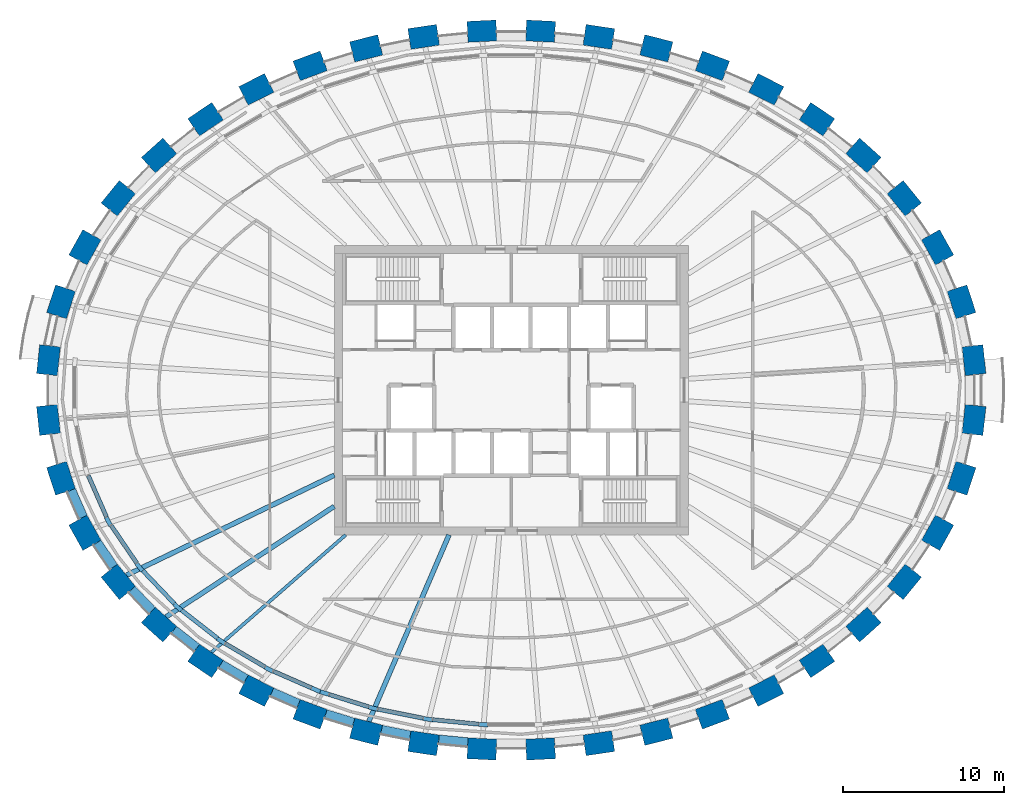
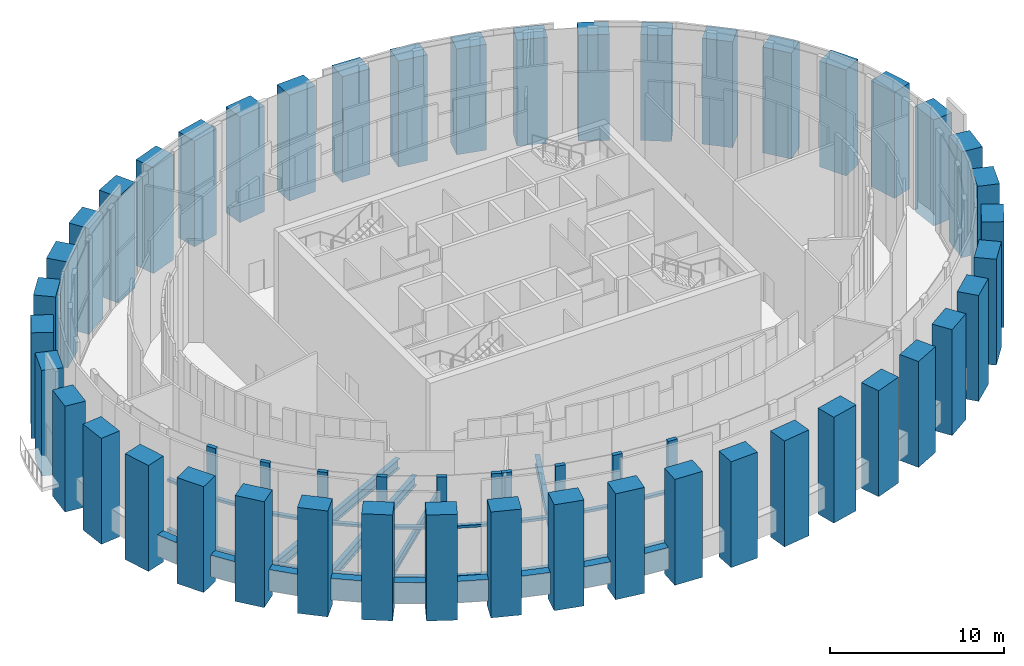
# One storey, part 1 of 16: 44 columns, 28 members, 13 beams, 2 elements without a shape of their own.
"""IFC4 building model written with IfcOpenShell, lengths in metres."""

from ifc_helpers import new_model, si_unit, direction, frame, origin, origin_2d, place, context, subcontext, project, spatial, rectangle, i_section, extrude, source, transform, mapped, material, material_profile, profile_set, type_object, element, aggregate, save


model = new_model("IFC4")

# Units and contexts
model_context = context("Model", 3, precision=1e-05, world=origin(), true_north=direction((0.0, 1.0)))
body_context = subcontext(model_context, "Body", "Model", "MODEL_VIEW")
ifc_project = project(units=[si_unit("LENGTHUNIT", "METRE"), si_unit("AREAUNIT", "SQUARE_METRE"), si_unit("VOLUMEUNIT", "CUBIC_METRE"), si_unit("PLANEANGLEUNIT", "RADIAN"), si_unit("MASSUNIT", "GRAM", prefix="KILO")], contexts=[model_context])

# Site, building, storey
site_placement = place(None, origin())
site = spatial("IfcSite", under=ifc_project, at=site_placement, CompositionType="ELEMENT")
building_placement = place(site_placement, origin())
building = spatial("IfcBuilding", under=site, at=building_placement, Name="Embergate Tower", CompositionType="ELEMENT")
storey_placement = place(building_placement, frame((0.0, 0.0, 332.5)))
storey = spatial("IfcBuildingStorey", under=building, at=storey_placement, Name="L78", CompositionType="ELEMENT", Elevation=332.5)

# Columns
ifc_material_1 = material(Name="Concrete C50", Category="concrete")
ifc_material_profile_1 = material_profile(ifc_material_1, rectangle(XDim=1.300048828125, YDim=1.800048828125, at=origin_2d()), Name="RC 1300x1800")
ifc_profile_set_1 = profile_set([ifc_material_profile_1], Name="Concrete C50")
column_type = type_object("IfcColumnType", Name="Ring column RC 1300x1800 C50", PredefinedType="COLUMN", material=ifc_profile_set_1)
shared_shape_1 = source(origin(), body_context, "Body", "SweptSolid", [
    extrude(rectangle(XDim=1.300048828125, YDim=1.800048828125, at=origin_2d()), origin(), (0.0, 0.0, 1.0), 7.449951171875),
])
for number, where, z_axis, x_axis, name in (
    (1, (28.760986328125, 1.85498046875, -1.449951171875), (0.0, 0.0, 1.0), (0.99428589498, 0.106749983816, 0.0), "COL-L78-00"),
    (2, (27.98095703125, 5.47998046875, -1.449951171875), (0.0, 0.0, 1.0), (0.950754033697, 0.309946394413, 0.0), "COL-L78-01"),
    (3, (26.4951171875, 8.866943359375, -1.449951171875), (0.0, 0.0, 1.0), (0.873491969053, 0.486838556403, 0.0), "COL-L78-02"),
    (4, (24.422119140625, 11.916015625, -1.449951171875), (0.0, 0.0, 1.0), (0.775925311702, 0.630824786022, 0.0), "COL-L78-03"),
    (5, (21.885986328125, 14.575927734375, -1.449951171875), (0.0, 0.0, 1.0), (0.669208424634, 0.74307475021, 0.0), "COL-L78-04"),
    (6, (18.99609375, 16.83203125, -1.449951171875), (0.0, 0.0, 1.0), (0.560393279442, 0.828226643109, 0.0), "COL-L78-05"),
    (7, (15.843017578125, 18.68603515625, -1.449951171875), (0.0, 0.0, 1.0), (0.452994952881, 0.891513080478, 0.0), "COL-L78-06"),
    (8, (12.498046875, 20.14892578125, -1.449951171875), (0.0, 0.0, 1.0), (0.348343015724, 0.93736713373, 0.0), "COL-L78-07"),
    (9, (9.01611328125, 21.23291015625, -1.449951171875), (0.0, 0.0, 1.0), (0.246491603437, 0.969144926951, 0.0), "COL-L78-08"),
    (10, (5.444091796875, 21.948974609375, -1.449951171875), (0.0, 0.0, 1.0), (0.146929011949, 0.989147039346, 0.0), "COL-L78-09"),
    (11, (1.820068359375, 22.305908203125, -1.449951171875), (0.0, 0.0, 1.0), (0.048814904854, 0.998807841912, 0.0), "COL-L78-10"),
    (12, (-1.820068359375, 22.305908203125, -1.449951171875), (0.0, 0.0, 1.0), (-0.048814904854, 0.998807841912, 0.0), "COL-L78-11"),
    (13, (-5.444091796875, 21.948974609375, -1.449951171875), (0.0, 0.0, 1.0), (-0.146929011949, 0.989147039346, 0.0), "COL-L78-12"),
    (14, (-9.01611328125, 21.23291015625, -1.449951171875), (0.0, 0.0, 1.0), (-0.246491603437, 0.969144926951, 0.0), "COL-L78-13"),
    (15, (-12.498046875, 20.14892578125, -1.449951171875), (0.0, 0.0, 1.0), (-0.348343015724, 0.93736713373, 0.0), "COL-L78-14"),
    (16, (-15.843017578125, 18.68603515625, -1.449951171875), (0.0, 0.0, 1.0), (-0.452994952881, 0.891513080478, 0.0), "COL-L78-15"),
    (17, (-18.99609375, 16.83203125, -1.449951171875), (0.0, 0.0, 1.0), (-0.560393279442, 0.828226643109, 0.0), "COL-L78-16"),
    (18, (-21.885986328125, 14.575927734375, -1.449951171875), (0.0, 0.0, 1.0), (-0.669208424634, 0.74307475021, 0.0), "COL-L78-17"),
    (19, (-24.422119140625, 11.916015625, -1.449951171875), (0.0, 0.0, 1.0), (-0.775925311702, 0.630824786022, 0.0), "COL-L78-18"),
    (20, (-26.4951171875, 8.866943359375, -1.449951171875), (0.0, 0.0, 1.0), (-0.873491969053, 0.486838556403, 0.0), "COL-L78-19"),
    (21, (-27.98095703125, 5.47998046875, -1.449951171875), (0.0, 0.0, 1.0), (-0.950754033697, 0.309946394413, 0.0), "COL-L78-20"),
    (22, (-28.760986328125, 1.85498046875, -1.449951171875), (0.0, 0.0, 1.0), (-0.99428589498, 0.106749983816, 0.0), "COL-L78-21"),
    (23, (-28.760986328125, -1.85498046875, -1.449951171875), (0.0, 0.0, 1.0), (-0.99428589498, -0.106749983816, 0.0), "COL-L78-22"),
    (24, (-27.98095703125, -5.47998046875, -1.449951171875), (0.0, 0.0, 1.0), (-0.950754033697, -0.309946394413, 0.0), "COL-L78-23"),
    (25, (-26.4951171875, -8.866943359375, -1.449951171875), (0.0, 0.0, 1.0), (-0.873491969053, -0.486838556403, 0.0), "COL-L78-24"),
    (26, (-24.422119140625, -11.916015625, -1.449951171875), (0.0, 0.0, 1.0), (-0.775925311702, -0.630824786022, 0.0), "COL-L78-25"),
    (27, (-21.885986328125, -14.575927734375, -1.449951171875), (0.0, 0.0, 1.0), (-0.669208424634, -0.74307475021, 0.0), "COL-L78-26"),
    (28, (-18.99609375, -16.83203125, -1.449951171875), (0.0, 0.0, 1.0), (-0.560393279442, -0.828226643109, 0.0), "COL-L78-27"),
    (29, (-15.843017578125, -18.68603515625, -1.449951171875), (0.0, 0.0, 1.0), (-0.452994952881, -0.891513080478, 0.0), "COL-L78-28"),
    (30, (-12.498046875, -20.14892578125, -1.449951171875), (0.0, 0.0, 1.0), (-0.348343015724, -0.93736713373, 0.0), "COL-L78-29"),
    (31, (-9.01611328125, -21.23291015625, -1.449951171875), (0.0, 0.0, 1.0), (-0.246491603437, -0.969144926951, 0.0), "COL-L78-30"),
    (32, (-5.444091796875, -21.948974609375, -1.449951171875), (0.0, 0.0, 1.0), (-0.146929011949, -0.989147039346, 0.0), "COL-L78-31"),
    (33, (-1.820068359375, -22.305908203125, -1.449951171875), (0.0, 0.0, 1.0), (-0.048814904854, -0.998807841912, 0.0), "COL-L78-32"),
    (34, (1.820068359375, -22.305908203125, -1.449951171875), (0.0, 0.0, 1.0), (0.048814904854, -0.998807841912, 0.0), "COL-L78-33"),
    (35, (5.444091796875, -21.948974609375, -1.449951171875), (0.0, 0.0, 1.0), (0.146929011949, -0.989147039346, 0.0), "COL-L78-34"),
    (36, (9.01611328125, -21.23291015625, -1.449951171875), (0.0, 0.0, 1.0), (0.246491603437, -0.969144926951, 0.0), "COL-L78-35"),
    (37, (12.498046875, -20.14892578125, -1.449951171875), (0.0, 0.0, 1.0), (0.348343015724, -0.93736713373, 0.0), "COL-L78-36"),
    (38, (15.843017578125, -18.68603515625, -1.449951171875), (0.0, 0.0, 1.0), (0.452994952881, -0.891513080478, 0.0), "COL-L78-37"),
    (39, (18.99609375, -16.83203125, -1.449951171875), (0.0, 0.0, 1.0), (0.560393279442, -0.828226643109, 0.0), "COL-L78-38"),
    (40, (21.885986328125, -14.575927734375, -1.449951171875), (0.0, 0.0, 1.0), (0.669208424634, -0.74307475021, 0.0), "COL-L78-39"),
    (41, (24.422119140625, -11.916015625, -1.449951171875), (0.0, 0.0, 1.0), (0.775925311702, -0.630824786022, 0.0), "COL-L78-40"),
    (42, (26.4951171875, -8.866943359375, -1.449951171875), (0.0, 0.0, 1.0), (0.873491969053, -0.486838556403, 0.0), "COL-L78-41"),
    (43, (27.98095703125, -5.47998046875, -1.449951171875), (0.0, 0.0, 1.0), (0.950754033697, -0.309946394413, 0.0), "COL-L78-42"),
    (44, (28.760986328125, -1.85498046875, -1.449951171875), (0.0, 0.0, 1.0), (0.99428589498, -0.106749983816, 0.0), "COL-L78-43"),
):
    element("IfcColumn", number, at=place(storey_placement, frame(where, z_axis=z_axis, x_axis=x_axis)), inside=storey, type_object=column_type, Name=name, PredefinedType="COLUMN", context=body_context, shape_type="MappedRepresentation", body=[
        mapped(shared_shape_1, transform((0.0, 0.0, 0.0))),
    ])

# Beams
ifc_material_profile_2 = material_profile(ifc_material_1, rectangle(XDim=0.550048828125, YDim=1.5, at=origin_2d()), Name="RC 550x1500")
ifc_profile_set_2 = profile_set([ifc_material_profile_2], Name="Concrete C50")
beam_type_1 = type_object("IfcBeamType", Name="Spandrel beam RC 550x1500 C50", PredefinedType="BEAM", material=ifc_profile_set_2)
shared_shape_2 = source(origin(), body_context, "Body", "SweptSolid", [
    extrude(rectangle(XDim=0.550048828125, YDim=1.5, at=origin_2d()), origin(), (0.0, 0.0, 1.0), 1.83349609375),
])
beam_1_placement = place(storey_placement, frame((-27.339111328125, -6.217041015625, 0.0), z_axis=(0.401971002991, -0.91565239734, 0.0), x_axis=(0.91565239734, 0.401971002991, 0.0)))
element("IfcBeam", 45, at=beam_1_placement, inside=storey, type_object=beam_type_1, Name="SPN-L78-23", PredefinedType="BEAM", context=body_context, shape_type="MappedRepresentation", body=[
    mapped(shared_shape_2, transform((0.0, 0.0, 0.0))),
])
shared_shape_3 = source(origin(), body_context, "Body", "SweptSolid", [
    extrude(rectangle(XDim=0.550048828125, YDim=1.5, at=origin_2d()), origin(), (0.0, 0.0, 1.0), 1.8291015625),
])
beam_2_placement = place(storey_placement, frame((-25.72998046875, -9.470947265625, 0.0), z_axis=(0.562039839894, -0.827110160965, 0.0), x_axis=(0.827110160965, 0.562039839894, 0.0)))
element("IfcBeam", 46, at=beam_2_placement, inside=storey, type_object=beam_type_1, Name="SPN-L78-24", PredefinedType="BEAM", context=body_context, shape_type="MappedRepresentation", body=[
    mapped(shared_shape_3, transform((0.0, 0.0, 0.0))),
])
shared_shape_4 = source(origin(), body_context, "Body", "SweptSolid", [
    extrude(rectangle(XDim=0.550048828125, YDim=1.5, at=origin_2d()), origin(), (0.0, 0.0, 1.0), 1.82421875),
])
beam_3_placement = place(storey_placement, frame((-23.571044921875, -12.384033203125, 0.0), z_axis=(0.690179663499, -0.723638053237, 0.0), x_axis=(0.723638053237, 0.690179663499, 0.0)))
element("IfcBeam", 47, at=beam_3_placement, inside=storey, type_object=beam_type_1, Name="SPN-L78-25", PredefinedType="BEAM", context=body_context, shape_type="MappedRepresentation", body=[
    mapped(shared_shape_4, transform((0.0, 0.0, 0.0))),
])
shared_shape_5 = source(origin(), body_context, "Body", "SweptSolid", [
    extrude(rectangle(XDim=0.550048828125, YDim=1.5, at=origin_2d()), origin(), (0.0, 0.0, 1.0), 1.819091796875),
])
beam_4_placement = place(storey_placement, frame((-20.965087890625, -14.89794921875, 0.0), z_axis=(0.788353886908, -0.615222032275, 0.0), x_axis=(0.615222032275, 0.788353886908, 0.0)))
element("IfcBeam", 48, at=beam_4_placement, inside=storey, type_object=beam_type_1, Name="SPN-L78-26", PredefinedType="BEAM", context=body_context, shape_type="MappedRepresentation", body=[
    mapped(shared_shape_5, transform((0.0, 0.0, 0.0))),
])
shared_shape_6 = source(origin(), body_context, "Body", "SweptSolid", [
    extrude(rectangle(XDim=0.550048828125, YDim=1.5, at=origin_2d()), origin(), (0.0, 0.0, 1.0), 1.814453125),
])
beam_5_placement = place(storey_placement, frame((-18.0419921875, -17.029052734375, 0.0), z_axis=(0.861948050646, -0.5069966055, 0.0), x_axis=(0.5069966055, 0.861948050646, 0.0)))
element("IfcBeam", 49, at=beam_5_placement, inside=storey, type_object=beam_type_1, Name="SPN-L78-27", PredefinedType="BEAM", context=body_context, shape_type="MappedRepresentation", body=[
    mapped(shared_shape_6, transform((0.0, 0.0, 0.0))),
])
shared_shape_7 = source(origin(), body_context, "Body", "SweptSolid", [
    extrude(rectangle(XDim=0.550048828125, YDim=1.5, at=origin_2d()), origin(), (0.0, 0.0, 1.0), 1.8125),
])
beam_6_placement = place(storey_placement, frame((-14.875, -18.76708984375, 0.0), z_axis=(0.916321098871, -0.400444307944, 0.0), x_axis=(0.400444307944, 0.916321098871, 0.0)))
element("IfcBeam", 50, at=beam_6_placement, inside=storey, type_object=beam_type_1, Name="SPN-L78-28", PredefinedType="BEAM", context=body_context, shape_type="MappedRepresentation", body=[
    mapped(shared_shape_7, transform((0.0, 0.0, 0.0))),
])
shared_shape_8 = source(origin(), body_context, "Body", "SweptSolid", [
    extrude(rectangle(XDim=0.550048828125, YDim=1.5, at=origin_2d()), origin(), (0.0, 0.0, 1.0), 1.810791015625),
])
beam_7_placement = place(storey_placement, frame((-11.528076171875, -20.1220703125, 0.0), z_axis=(0.954867824345, -0.297031038835, 0.0), x_axis=(0.297031038835, 0.954867824345, 0.0)))
element("IfcBeam", 51, at=beam_7_placement, inside=storey, type_object=beam_type_1, Name="SPN-L78-29", PredefinedType="BEAM", context=body_context, shape_type="MappedRepresentation", body=[
    mapped(shared_shape_8, transform((0.0, 0.0, 0.0))),
])
shared_shape_9 = source(origin(), body_context, "Body", "SweptSolid", [
    extrude(rectangle(XDim=0.550048828125, YDim=1.5, at=origin_2d()), origin(), (0.0, 0.0, 1.0), 1.809326171875),
])
beam_8_placement = place(storey_placement, frame((-8.054931640625, -21.10498046875, 0.0), z_axis=(0.980455920219, -0.196738884074, 0.0), x_axis=(0.196738884074, 0.980455920219, 0.0)))
element("IfcBeam", 52, at=beam_8_placement, inside=storey, type_object=beam_type_1, Name="SPN-L78-30", PredefinedType="BEAM", context=body_context, shape_type="MappedRepresentation", body=[
    mapped(shared_shape_9, transform((0.0, 0.0, 0.0))),
])
shared_shape_10 = source(origin(), body_context, "Body", "SweptSolid", [
    extrude(rectangle(XDim=0.550048828125, YDim=1.5, at=origin_2d()), origin(), (0.0, 0.0, 1.0), 1.806884765625),
])
beam_9_placement = place(storey_placement, frame((-4.498046875, -21.7060546875, 0.0), z_axis=(0.995189855055, -0.097965057015, 0.0), x_axis=(0.097965057015, 0.995189855055, 0.0)))
element("IfcBeam", 53, at=beam_9_placement, inside=storey, type_object=beam_type_1, Name="SPN-L78-31", PredefinedType="BEAM", context=body_context, shape_type="MappedRepresentation", body=[
    mapped(shared_shape_10, transform((0.0, 0.0, 0.0))),
])
ifc_material_2 = material(Name="Steel Q355B", Category="steel")
ifc_material_profile_3 = material_profile(ifc_material_2, i_section(OverallWidth=0.300048828125, OverallDepth=0.699951171875, WebThickness=0.012939453125, FlangeThickness=0.02392578125, FilletRadius=0.01806640625, at=origin_2d()), Name="HN 700x300x13x24")
ifc_profile_set_3 = profile_set([ifc_material_profile_3], Name="Steel Q355 grade B")
beam_type_2 = type_object("IfcBeamType", Name="Radial girder HN 700x300x13x24", PredefinedType="BEAM", material=ifc_profile_set_3)
shared_shape_11 = source(origin(), body_context, "Body", "SweptSolid", [
    extrude(i_section(OverallWidth=0.300048828125, OverallDepth=0.699951171875, WebThickness=0.012939453125, FlangeThickness=0.02392578125, FilletRadius=0.01806640625, at=origin_2d()), origin(), (0.0, 0.0, 1.0), 14.3349609375),
])
beam_10_placement = place(storey_placement, frame((-23.91796875, -11.506103515625, -0.60009765625), z_axis=(0.901155709388, 0.433495544887, 0.0), x_axis=(-0.433495544887, 0.901155709388, 0.0)))
element("IfcBeam", 54, at=beam_10_placement, inside=storey, type_object=beam_type_2, Name="GIR-L78-25", PredefinedType="BEAM", context=body_context, shape_type="MappedRepresentation", body=[
    mapped(shared_shape_11, transform((0.0, 0.0, 0.0))),
])
shared_shape_12 = source(origin(), body_context, "Body", "SweptSolid", [
    extrude(i_section(OverallWidth=0.300048828125, OverallDepth=0.699951171875, WebThickness=0.012939453125, FlangeThickness=0.02392578125, FilletRadius=0.01806640625, at=origin_2d()), origin(), (0.0, 0.0, 1.0), 12.504638671875),
])
beam_11_placement = place(storey_placement, frame((-21.450927734375, -14.093017578125, -0.60009765625), z_axis=(0.835771014397, 0.549078146983, 0.0), x_axis=(-0.549078146983, 0.835771014397, 0.0)))
element("IfcBeam", 55, at=beam_11_placement, inside=storey, type_object=beam_type_2, Name="GIR-L78-26", PredefinedType="BEAM", context=body_context, shape_type="MappedRepresentation", body=[
    mapped(shared_shape_12, transform((0.0, 0.0, 0.0))),
])
ifc_material_profile_4 = material_profile(ifc_material_2, i_section(OverallWidth=0.199951171875, OverallDepth=0.60009765625, WebThickness=0.010986328125, FlangeThickness=0.01708984375, FilletRadius=0.012939453125, at=origin_2d()), Name="HN 600x200x11x17")
ifc_profile_set_4 = profile_set([ifc_material_profile_4], Name="Steel Q355 grade B")
beam_type_3 = type_object("IfcBeamType", Name="Radial girder HN 600x200x11x17", PredefinedType="BEAM", material=ifc_profile_set_4)
shared_shape_13 = source(origin(), body_context, "Body", "SweptSolid", [
    extrude(i_section(OverallWidth=0.199951171875, OverallDepth=0.60009765625, WebThickness=0.010986328125, FlangeThickness=0.01708984375, FilletRadius=0.012939453125, at=origin_2d()), origin(), (0.0, 0.0, 1.0), 11.080322265625),
])
beam_12_placement = place(storey_placement, frame((-18.632080078125, -16.2939453125, -0.550048828125), z_axis=(0.752777301853, 0.658275272067, 0.0), x_axis=(-0.658275272067, 0.752777301853, 0.0)))
element("IfcBeam", 56, at=beam_12_placement, inside=storey, type_object=beam_type_3, Name="GIR-L78-27", PredefinedType="BEAM", context=body_context, shape_type="MappedRepresentation", body=[
    mapped(shared_shape_13, transform((0.0, 0.0, 0.0))),
])
shared_shape_14 = source(origin(), body_context, "Body", "SweptSolid", [
    extrude(i_section(OverallWidth=0.300048828125, OverallDepth=0.699951171875, WebThickness=0.012939453125, FlangeThickness=0.02392578125, FilletRadius=0.01806640625, at=origin_2d()), origin(), (0.0, 0.0, 1.0), 12.629638671875),
])
beam_13_placement = place(storey_placement, frame((-8.85595703125, -20.60302734375, -0.60009765625), z_axis=(0.394943241903, 0.91870552174, 0.0), x_axis=(-0.91870552174, 0.394943241903, 0.0)))
element("IfcBeam", 57, at=beam_13_placement, inside=storey, type_object=beam_type_2, Name="GIR-L78-30", PredefinedType="BEAM", context=body_context, shape_type="MappedRepresentation", body=[
    mapped(shared_shape_14, transform((0.0, 0.0, 0.0))),
])

# Curtain wall, members
ifc_material_3 = material(Name="Aluminium and glass", Category="aluminium")
curtain_wall_type = type_object("IfcCurtainWallType", Name="Observation glazing", PredefinedType="NOTDEFINED", material=ifc_material_3)
curtain_wall_1_placement = place(storey_placement, origin())
curtain_wall_1 = element("IfcCurtainWall", 58, at=curtain_wall_1_placement, inside=storey, type_object=curtain_wall_type, Name="Observation glazing run 4", ObjectType="OBSERVATION GLAZING", PredefinedType="USERDEFINED")
ifc_material_4 = material(Name="Aluminium, thermally broken", Category="aluminium")
ifc_material_profile_5 = material_profile(ifc_material_4, rectangle(XDim=0.260009765625, YDim=0.60009765625, at=origin_2d()), Name="AL 600x260")
ifc_profile_set_5 = profile_set([ifc_material_profile_5], Name="Aluminium, thermally broken")
member_type_1 = type_object("IfcMemberType", Name="Observation mullion", PredefinedType="MULLION", material=ifc_profile_set_5)
shared_shape_15 = source(origin(), body_context, "Body", "SweptSolid", [
    extrude(rectangle(XDim=0.260009765625, YDim=0.60009765625, at=origin_2d()), origin(), (0.0, 0.0, 1.0), 7.199951171875),
])
member_1_placement = place(storey_placement, frame((-25.03369140625, -8.170166015625, 0.0), z_axis=(0.0, 0.0, 1.0), x_axis=(0.874977391222, 0.484163778954, 0.0)))
member_1 = element("IfcMember", 59, at=member_1_placement, type_object=member_type_1, Name="CW mullion 3", PredefinedType="MULLION", context=body_context, shape_type="MappedRepresentation", body=[
    mapped(shared_shape_15, transform((0.0, 0.0, 0.0))),
])
member_2_placement = place(storey_placement, frame((-23.10595703125, -11.0048828125, 0.0), z_axis=(0.0, 0.0, 1.0), x_axis=(0.777844046666, 0.628457348645, 0.0)))
member_2 = element("IfcMember", 60, at=member_2_placement, type_object=member_type_1, Name="CW mullion 4", PredefinedType="MULLION", context=body_context, shape_type="MappedRepresentation", body=[
    mapped(shared_shape_15, transform((0.0, 0.0, 0.0))),
])
member_3_placement = place(storey_placement, frame((-20.73388671875, -13.4921875, 0.0), z_axis=(0.0, 0.0, 1.0), x_axis=(0.671200658962, 0.741275708093, 0.0)))
member_3 = element("IfcMember", 61, at=member_3_placement, type_object=member_type_1, Name="CW mullion 5", PredefinedType="MULLION", context=body_context, shape_type="MappedRepresentation", body=[
    mapped(shared_shape_15, transform((0.0, 0.0, 0.0))),
])
member_4_placement = place(storey_placement, frame((-18.01806640625, -15.61181640625, 0.0), z_axis=(0.0, 0.0, 1.0), x_axis=(0.562194524426, 0.827005028223, 0.0)))
member_4 = element("IfcMember", 62, at=member_4_placement, type_object=member_type_1, Name="CW mullion 6", PredefinedType="MULLION", context=body_context, shape_type="MappedRepresentation", body=[
    mapped(shared_shape_15, transform((0.0, 0.0, 0.0))),
])
member_5_placement = place(storey_placement, frame((-15.04296875, -17.36083984375, 0.0), z_axis=(0.0, 0.0, 1.0), x_axis=(0.454494279444, 0.890749656162, 0.0)))
member_5 = element("IfcMember", 63, at=member_5_placement, type_object=member_type_1, Name="CW mullion 7", PredefinedType="MULLION", context=body_context, shape_type="MappedRepresentation", body=[
    mapped(shared_shape_15, transform((0.0, 0.0, 0.0))),
])
member_6_placement = place(storey_placement, frame((-12.151123046875, -18.625244140625, 0.0), z_axis=(0.0, 0.0, 1.0), x_axis=(0.400633698365, 0.916238309467, 0.0)))
member_6 = element("IfcMember", 64, at=member_6_placement, type_object=member_type_1, Name="CW mullion 8", PredefinedType="MULLION", context=body_context, shape_type="MappedRepresentation", body=[
    mapped(shared_shape_15, transform((0.0, 0.0, 0.0))),
])

curtain_wall_2_placement = place(storey_placement, origin())
curtain_wall_2 = element("IfcCurtainWall", 65, at=curtain_wall_2_placement, inside=storey, type_object=curtain_wall_type, Name="Observation glazing run 5", ObjectType="OBSERVATION GLAZING", PredefinedType="USERDEFINED")
member_7_placement = place(storey_placement, frame((-11.58984375, -18.834716796875, 0.0), z_axis=(0.0, 0.0, 1.0), x_axis=(0.29733488089, 0.954773255075, 0.0)))
member_7 = element("IfcMember", 66, at=member_7_placement, type_object=member_type_1, Name="CW mullion 1", PredefinedType="MULLION", context=body_context, shape_type="MappedRepresentation", body=[
    mapped(shared_shape_15, transform((0.0, 0.0, 0.0))),
])
member_8_placement = place(storey_placement, frame((-8.572998046875, -19.774169921875, 0.0), z_axis=(0.0, 0.0, 1.0), x_axis=(0.247303425799, 0.968938086561, 0.0)))
member_8 = element("IfcMember", 67, at=member_8_placement, type_object=member_type_1, Name="CW mullion 2", PredefinedType="MULLION", context=body_context, shape_type="MappedRepresentation", body=[
    mapped(shared_shape_15, transform((0.0, 0.0, 0.0))),
])
member_9_placement = place(storey_placement, frame((-5.1787109375, -20.454833984375, 0.0), z_axis=(0.0, 0.0, 1.0), x_axis=(0.147407204031, 0.98907589001, 0.0)))
member_9 = element("IfcMember", 68, at=member_9_placement, type_object=member_type_1, Name="CW mullion 3", PredefinedType="MULLION", context=body_context, shape_type="MappedRepresentation", body=[
    mapped(shared_shape_15, transform((0.0, 0.0, 0.0))),
])
member_10_placement = place(storey_placement, frame((-1.73193359375, -20.793701171875, 0.0), z_axis=(0.0, 0.0, 1.0), x_axis=(0.048970053385, 0.998800247232, 0.0)))
member_10 = element("IfcMember", 69, at=member_10_placement, type_object=member_type_1, Name="CW mullion 4", PredefinedType="MULLION", context=body_context, shape_type="MappedRepresentation", body=[
    mapped(shared_shape_15, transform((0.0, 0.0, 0.0))),
])

# Member
ifc_material_profile_6 = material_profile(ifc_material_4, rectangle(XDim=0.260009765625, YDim=0.179931640625, at=origin_2d()), Name="AL 180x260")
ifc_profile_set_6 = profile_set([ifc_material_profile_6], Name="Aluminium, thermally broken")
member_type_2 = type_object("IfcMemberType", Name="Observation transom", PredefinedType="USERDEFINED", material=ifc_profile_set_6)
shared_shape_16 = source(origin(), body_context, "Body", "SweptSolid", [
    extrude(rectangle(XDim=0.260009765625, YDim=0.179931640625, at=origin_2d()), origin(), (0.0, 0.0, 1.0), 2.818603515625),
])
member_11_placement = place(storey_placement, frame((-26.286376953125, -5.314208984375, 0.090087890625), z_axis=(0.401641104091, -0.915797151942, 0.0), x_axis=(0.915797151942, 0.401641104091, 0.0)))
member_11 = element("IfcMember", 70, at=member_11_placement, type_object=member_type_2, Name="CW transom 2.1", ObjectType="TRANSOM", PredefinedType="USERDEFINED", context=body_context, shape_type="MappedRepresentation", body=[
    mapped(shared_shape_16, transform((0.0, 0.0, 0.0))),
])

member_12_placement = place(storey_placement, frame((-26.286376953125, -5.314208984375, 3.60009765625), z_axis=(0.401641104091, -0.915797151942, 0.0), x_axis=(0.915797151942, 0.401641104091, 0.0)))
member_12 = element("IfcMember", 71, at=member_12_placement, type_object=member_type_2, Name="CW transom 2.2", ObjectType="TRANSOM", PredefinedType="USERDEFINED", context=body_context, shape_type="MappedRepresentation", body=[
    mapped(shared_shape_16, transform((0.0, 0.0, 0.0))),
])

shared_shape_17 = source(origin(), body_context, "Body", "SweptSolid", [
    extrude(rectangle(XDim=0.260009765625, YDim=0.179931640625, at=origin_2d()), origin(), (0.0, 0.0, 1.0), 2.827880859375),
])
member_13_placement = place(storey_placement, frame((-24.864990234375, -8.418212890625, 0.090087890625), z_axis=(0.562366693177, -0.826887962426, 0.0), x_axis=(0.826887962426, 0.562366693177, 0.0)))
member_13 = element("IfcMember", 72, at=member_13_placement, type_object=member_type_2, Name="CW transom 3.1", ObjectType="TRANSOM", PredefinedType="USERDEFINED", context=body_context, shape_type="MappedRepresentation", body=[
    mapped(shared_shape_17, transform((0.0, 0.0, 0.0))),
])

member_14_placement = place(storey_placement, frame((-24.864990234375, -8.418212890625, 3.60009765625), z_axis=(0.562366693177, -0.826887962426, 0.0), x_axis=(0.826887962426, 0.562366693177, 0.0)))
member_14 = element("IfcMember", 73, at=member_14_placement, type_object=member_type_2, Name="CW transom 3.2", ObjectType="TRANSOM", PredefinedType="USERDEFINED", context=body_context, shape_type="MappedRepresentation", body=[
    mapped(shared_shape_17, transform((0.0, 0.0, 0.0))),
])

shared_shape_18 = source(origin(), body_context, "Body", "SweptSolid", [
    extrude(rectangle(XDim=0.260009765625, YDim=0.179931640625, at=origin_2d()), origin(), (0.0, 0.0, 1.0), 2.8369140625),
])
member_15_placement = place(storey_placement, frame((-22.89892578125, -11.221923828125, 0.090087890625), z_axis=(0.690170720754, -0.723646582396, 0.0), x_axis=(0.723646582396, 0.690170720754, 0.0)))
member_15 = element("IfcMember", 74, at=member_15_placement, type_object=member_type_2, Name="CW transom 4.1", ObjectType="TRANSOM", PredefinedType="USERDEFINED", context=body_context, shape_type="MappedRepresentation", body=[
    mapped(shared_shape_18, transform((0.0, 0.0, 0.0))),
])

member_16_placement = place(storey_placement, frame((-22.89892578125, -11.221923828125, 3.60009765625), z_axis=(0.690170720754, -0.723646582396, 0.0), x_axis=(0.723646582396, 0.690170720754, 0.0)))
member_16 = element("IfcMember", 75, at=member_16_placement, type_object=member_type_2, Name="CW transom 4.2", ObjectType="TRANSOM", PredefinedType="USERDEFINED", context=body_context, shape_type="MappedRepresentation", body=[
    mapped(shared_shape_18, transform((0.0, 0.0, 0.0))),
])

shared_shape_19 = source(origin(), body_context, "Body", "SweptSolid", [
    extrude(rectangle(XDim=0.260009765625, YDim=0.179931640625, at=origin_2d()), origin(), (0.0, 0.0, 1.0), 2.8447265625),
])
member_17_placement = place(storey_placement, frame((-20.497314453125, -13.6767578125, 0.090087890625), z_axis=(0.788339133471, -0.615240937063, 0.0), x_axis=(0.615240937063, 0.788339133471, 0.0)))
member_17 = element("IfcMember", 76, at=member_17_placement, type_object=member_type_2, Name="CW transom 5.1", ObjectType="TRANSOM", PredefinedType="USERDEFINED", context=body_context, shape_type="MappedRepresentation", body=[
    mapped(shared_shape_19, transform((0.0, 0.0, 0.0))),
])

member_18_placement = place(storey_placement, frame((-20.497314453125, -13.6767578125, 3.60009765625), z_axis=(0.788339133471, -0.615240937063, 0.0), x_axis=(0.615240937063, 0.788339133471, 0.0)))
member_18 = element("IfcMember", 77, at=member_18_placement, type_object=member_type_2, Name="CW transom 5.2", ObjectType="TRANSOM", PredefinedType="USERDEFINED", context=body_context, shape_type="MappedRepresentation", body=[
    mapped(shared_shape_19, transform((0.0, 0.0, 0.0))),
])

shared_shape_20 = source(origin(), body_context, "Body", "SweptSolid", [
    extrude(rectangle(XDim=0.260009765625, YDim=0.179931640625, at=origin_2d()), origin(), (0.0, 0.0, 1.0), 2.851318359375),
])
member_19_placement = place(storey_placement, frame((-17.759521484375, -15.763671875, 0.090087890625), z_axis=(0.862059652837, -0.506806822124, 0.0), x_axis=(0.506806822124, 0.862059652837, 0.0)))
member_19 = element("IfcMember", 78, at=member_19_placement, type_object=member_type_2, Name="CW transom 6.1", ObjectType="TRANSOM", PredefinedType="USERDEFINED", context=body_context, shape_type="MappedRepresentation", body=[
    mapped(shared_shape_20, transform((0.0, 0.0, 0.0))),
])

member_20_placement = place(storey_placement, frame((-17.759521484375, -15.763671875, 3.60009765625), z_axis=(0.862059652837, -0.506806822124, 0.0), x_axis=(0.506806822124, 0.862059652837, 0.0)))
member_20 = element("IfcMember", 79, at=member_20_placement, type_object=member_type_2, Name="CW transom 6.2", ObjectType="TRANSOM", PredefinedType="USERDEFINED", context=body_context, shape_type="MappedRepresentation", body=[
    mapped(shared_shape_20, transform((0.0, 0.0, 0.0))),
])

shared_shape_21 = source(origin(), body_context, "Body", "SweptSolid", [
    extrude(rectangle(XDim=0.260009765625, YDim=0.179931640625, at=origin_2d()), origin(), (0.0, 0.0, 1.0), 2.55615234375),
])
member_21_placement = place(storey_placement, frame((-14.76806640625, -17.48095703125, 0.090087890625), z_axis=(0.916225274593, -0.400663507445, 0.0), x_axis=(0.400663507445, 0.916225274593, 0.0)))
member_21 = element("IfcMember", 80, at=member_21_placement, type_object=member_type_2, Name="CW transom 7.1", ObjectType="TRANSOM", PredefinedType="USERDEFINED", context=body_context, shape_type="MappedRepresentation", body=[
    mapped(shared_shape_21, transform((0.0, 0.0, 0.0))),
])

member_22_placement = place(storey_placement, frame((-14.76806640625, -17.48095703125, 3.60009765625), z_axis=(0.916225274593, -0.400663507445, 0.0), x_axis=(0.400663507445, 0.916225274593, 0.0)))
member_22 = element("IfcMember", 81, at=member_22_placement, type_object=member_type_2, Name="CW transom 7.2", ObjectType="TRANSOM", PredefinedType="USERDEFINED", context=body_context, shape_type="MappedRepresentation", body=[
    mapped(shared_shape_21, transform((0.0, 0.0, 0.0))),
])

aggregate(curtain_wall_1, [member_1, member_2, member_3, member_4, member_5, member_6, member_11, member_12, member_13, member_14, member_15, member_16, member_17, member_18, member_19, member_20, member_21, member_22])

shared_shape_22 = source(origin(), body_context, "Body", "SweptSolid", [
    extrude(rectangle(XDim=0.260009765625, YDim=0.179931640625, at=origin_2d()), origin(), (0.0, 0.0, 1.0), 2.5595703125),
])
member_23_placement = place(storey_placement, frame((-11.303466796875, -18.923828125, 0.090087890625), z_axis=(0.954781590501, -0.297308113646, 0.0), x_axis=(0.297308113646, 0.954781590501, 0.0)))
member_23 = element("IfcMember", 82, at=member_23_placement, type_object=member_type_2, Name="CW transom 1.1", ObjectType="TRANSOM", PredefinedType="USERDEFINED", context=body_context, shape_type="MappedRepresentation", body=[
    mapped(shared_shape_22, transform((0.0, 0.0, 0.0))),
])

member_24_placement = place(storey_placement, frame((-11.303466796875, -18.923828125, 3.60009765625), z_axis=(0.954781590501, -0.297308113646, 0.0), x_axis=(0.297308113646, 0.954781590501, 0.0)))
member_24 = element("IfcMember", 83, at=member_24_placement, type_object=member_type_2, Name="CW transom 1.2", ObjectType="TRANSOM", PredefinedType="USERDEFINED", context=body_context, shape_type="MappedRepresentation", body=[
    mapped(shared_shape_22, transform((0.0, 0.0, 0.0))),
])

shared_shape_23 = source(origin(), body_context, "Body", "SweptSolid", [
    extrude(rectangle(XDim=0.260009765625, YDim=0.179931640625, at=origin_2d()), origin(), (0.0, 0.0, 1.0), 2.86181640625),
])
member_25_placement = place(storey_placement, frame((-8.27880859375, -19.8330078125, 0.090087890625), z_axis=(0.980459086203, -0.196723105611, 0.0), x_axis=(0.196723105611, 0.980459086203, 0.0)))
member_25 = element("IfcMember", 84, at=member_25_placement, type_object=member_type_2, Name="CW transom 2.1", ObjectType="TRANSOM", PredefinedType="USERDEFINED", context=body_context, shape_type="MappedRepresentation", body=[
    mapped(shared_shape_23, transform((0.0, 0.0, 0.0))),
])

member_26_placement = place(storey_placement, frame((-8.27880859375, -19.8330078125, 3.60009765625), z_axis=(0.980459086203, -0.196723105611, 0.0), x_axis=(0.196723105611, 0.980459086203, 0.0)))
member_26 = element("IfcMember", 85, at=member_26_placement, type_object=member_type_2, Name="CW transom 2.2", ObjectType="TRANSOM", PredefinedType="USERDEFINED", context=body_context, shape_type="MappedRepresentation", body=[
    mapped(shared_shape_23, transform((0.0, 0.0, 0.0))),
])

shared_shape_24 = source(origin(), body_context, "Body", "SweptSolid", [
    extrude(rectangle(XDim=0.260009765625, YDim=0.179931640625, at=origin_2d()), origin(), (0.0, 0.0, 1.0), 2.86328125),
])
member_27_placement = place(storey_placement, frame((-4.880126953125, -20.484375, 0.090087890625), z_axis=(0.995206257784, -0.097798284585, 0.0), x_axis=(0.097798284585, 0.995206257784, 0.0)))
member_27 = element("IfcMember", 86, at=member_27_placement, type_object=member_type_2, Name="CW transom 3.1", ObjectType="TRANSOM", PredefinedType="USERDEFINED", context=body_context, shape_type="MappedRepresentation", body=[
    mapped(shared_shape_24, transform((0.0, 0.0, 0.0))),
])

member_28_placement = place(storey_placement, frame((-4.880126953125, -20.484375, 3.60009765625), z_axis=(0.995206257784, -0.097798284585, 0.0), x_axis=(0.097798284585, 0.995206257784, 0.0)))
member_28 = element("IfcMember", 87, at=member_28_placement, type_object=member_type_2, Name="CW transom 3.2", ObjectType="TRANSOM", PredefinedType="USERDEFINED", context=body_context, shape_type="MappedRepresentation", body=[
    mapped(shared_shape_24, transform((0.0, 0.0, 0.0))),
])

aggregate(curtain_wall_2, [member_7, member_8, member_9, member_10, member_23, member_24, member_25, member_26, member_27, member_28])

save(model, "model.ifc")
